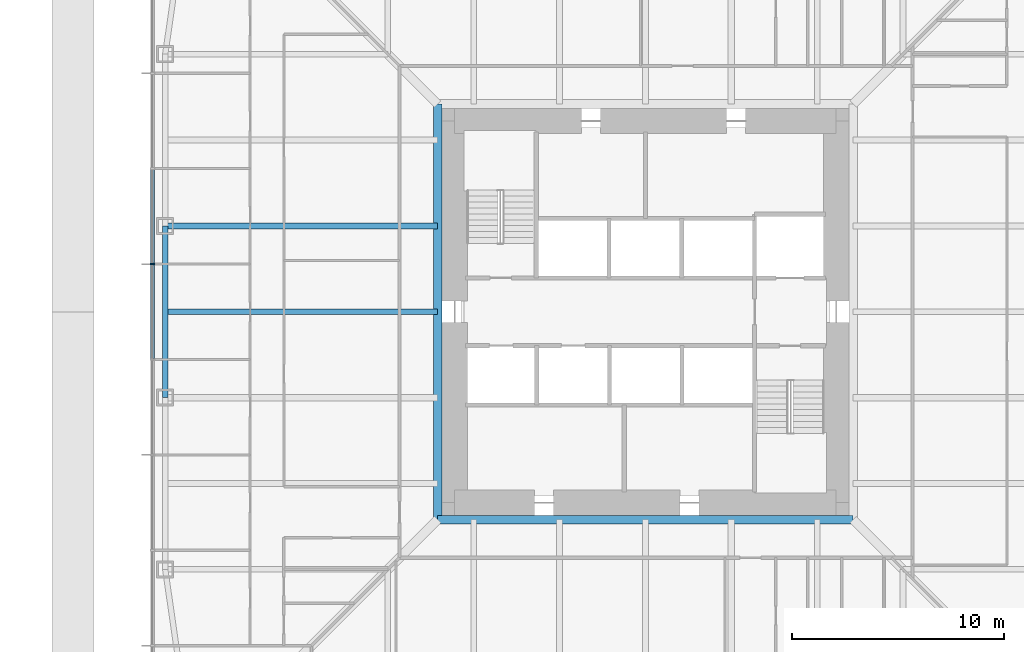
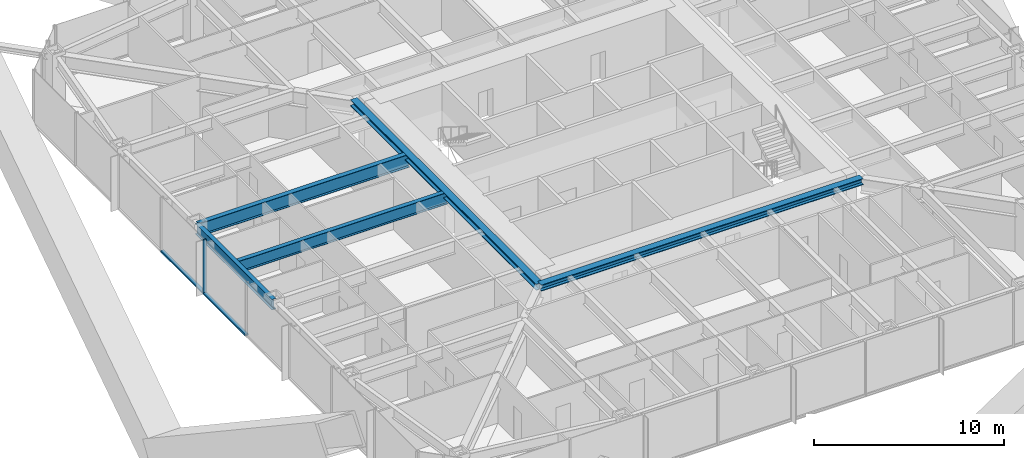
# One storey, part 4 of 27: 5 beams, 3 members, 1 element without a shape of its own.
"""IFC4 building model written with IfcOpenShell, lengths in metres."""

import ifcopenshell
import ifcopenshell.guid

model = None  # the IFC model being written
_history = None  # IfcOwnerHistory: only IFC2X3 demands one
_inside = {}  # id of a spatial element -> (the spatial element, [elements in it])
_under = {}  # id of a project, library or spatial element -> (it, [spatial elements below it])
_declared = {}  # id of a project -> (the project, [libraries it declares])
_typed = {}  # id of a type object -> (the type object, [elements of that type])
_made_of = {}  # id of a material, layer set ... -> (it, [elements and type objects made of it])


def new_model(schema):
    """Start an empty IFC model of exactly this schema.

    Asked for "IFC4X3", IfcOpenShell would pick the latest addendum, in which some entities
    have other attributes; the version numbers below select the first issue.
    IFC2X3 requires an IfcOwnerHistory on every rooted entity: one is made here for all.
    """
    global model, _history
    if schema == "IFC4X3":
        model = ifcopenshell.file(schema_version=(4, 3, 0, 0))
    else:
        model = ifcopenshell.file(schema=schema)
    _inside.clear()
    _under.clear()
    _declared.clear()
    _typed.clear()
    _made_of.clear()
    _history = None
    if model.schema == "IFC2X3":
        org = make("IfcOrganization", Name="unknown")
        user = make(
            "IfcPersonAndOrganization",
            ThePerson=make("IfcPerson", FamilyName="unknown"),
            TheOrganization=org,
        )
        app = make(
            "IfcApplication",
            ApplicationDeveloper=org,
            Version="unknown",
            ApplicationFullName="unknown",
            ApplicationIdentifier="unknown",
        )
        _history = make(
            "IfcOwnerHistory",
            OwningUser=user,
            OwningApplication=app,
            ChangeAction="ADDED",
            CreationDate=0,
        )
    return model


def make(cls, **values):
    """One entity of the class cls with the attributes given. An attribute that is None is left unset."""
    return model.create_entity(
        cls, **{name: value for name, value in values.items() if value is not None}
    )


def rooted(cls, **values):
    """An entity with a GlobalId (a new one), such as an element, a storey or a relation."""
    return make(cls, GlobalId=ifcopenshell.guid.new(), OwnerHistory=_history, **values)


def si_unit(unit_type, name, prefix=None):
    """IfcSIUnit, for example si_unit("LENGTHUNIT", "METRE", prefix="MILLI")."""
    return make("IfcSIUnit", UnitType=unit_type, Prefix=prefix, Name=name)


def assignment(units):
    """IfcUnitAssignment: the units of a project."""
    return None if units is None else make("IfcUnitAssignment", Units=units)


def point(xyz):
    """IfcCartesianPoint."""
    return None if xyz is None else make("IfcCartesianPoint", Coordinates=xyz)


def direction(xyz):
    """IfcDirection."""
    return None if xyz is None else make("IfcDirection", DirectionRatios=xyz)


def frame(location, z_axis=None, x_axis=None):
    """IfcAxis2Placement3D, a coordinate frame: its origin and axes. An axis left out is left unset."""
    return make(
        "IfcAxis2Placement3D",
        Location=point(location),
        Axis=direction(z_axis),
        RefDirection=direction(x_axis),
    )


def frame_2d(location, x_axis=None):
    """IfcAxis2Placement2D, a coordinate frame in the plane: its origin and x axis."""
    return make(
        "IfcAxis2Placement2D", Location=point(location), RefDirection=direction(x_axis)
    )


def origin():
    """The frame at (0, 0, 0) with its axes left unset."""
    return frame((0.0, 0.0, 0.0))


def origin_2d():
    """The frame at (0, 0) in the plane with its x axis left unset."""
    return frame_2d((0.0, 0.0))


def place(relative_to, where):
    """IfcLocalPlacement: puts the frame where relative to a parent placement (None: the world)."""
    return make(
        "IfcLocalPlacement", PlacementRelTo=relative_to, RelativePlacement=where
    )


def context(
    kind, dimensions, precision=None, world=None, true_north=None, identifier=None
):
    """IfcGeometricRepresentationContext, for example the 3D "Model" context."""
    return make(
        "IfcGeometricRepresentationContext",
        ContextIdentifier=identifier,
        ContextType=kind,
        CoordinateSpaceDimension=dimensions,
        Precision=precision,
        WorldCoordinateSystem=world,
        TrueNorth=true_north,
    )


def subcontext(parent, identifier, kind, view, scale=None):
    """IfcGeometricRepresentationSubContext, for example "Body" below "Model"."""
    return make(
        "IfcGeometricRepresentationSubContext",
        ContextIdentifier=identifier,
        ContextType=kind,
        ParentContext=parent,
        TargetScale=scale,
        TargetView=view,
    )


def project(units=None, contexts=None):
    """IfcProject with its units and contexts."""
    return rooted(
        "IfcProject",
        Name="project",
        RepresentationContexts=contexts,
        UnitsInContext=assignment(units),
    )


def spatial(cls, under=None, at=None, **own):
    """A site, building, storey or space (cls), placed at a placement, below another one or the project."""
    s = rooted(cls, ObjectPlacement=at, **own)
    if under is not None:
        _under.setdefault(under.id(), (under, []))[1].append(s)
    return s


def profile(cls, at=None, kind="AREA", **sizes):
    """A parametric profile (cls). Its sizes go by their IFC names, for example OverallWidth=200.0."""
    return make(cls, ProfileType=kind, Position=at, **sizes)


def rectangle(**sizes):
    """IfcRectangleProfileDef."""
    return profile("IfcRectangleProfileDef", **sizes)


def i_section(**sizes):
    """IfcIShapeProfileDef."""
    return profile("IfcIShapeProfileDef", **sizes)


def extrude(swept, where, along, depth):
    """IfcExtrudedAreaSolid: the profile swept, set in the frame where, extruded along a direction by depth."""
    return make(
        "IfcExtrudedAreaSolid",
        SweptArea=swept,
        Position=where,
        ExtrudedDirection=direction(along),
        Depth=depth,
    )


def shape(context_of_items, identifier, shape_type, items):
    """IfcShapeRepresentation: the items that make up one representation, for example the "Body"."""
    return make(
        "IfcShapeRepresentation",
        ContextOfItems=context_of_items,
        RepresentationIdentifier=identifier,
        RepresentationType=shape_type,
        Items=items,
    )


def material(Name=None, Category=None):
    """IfcMaterial."""
    return make("IfcMaterial", Name=Name, Category=Category)


def material_profile(
    of_material, cross_section, Name=None, Category=None, Priority=None
):
    """IfcMaterialProfile: a cross section and its material."""
    return make(
        "IfcMaterialProfile",
        Name=Name,
        Material=of_material,
        Profile=cross_section,
        Priority=Priority,
        Category=Category,
    )


def profile_set(profiles, Name=None, composite=None):
    """IfcMaterialProfileSet."""
    return make(
        "IfcMaterialProfileSet",
        Name=Name,
        MaterialProfiles=profiles,
        CompositeProfile=composite,
    )


def made_of(thing, what):
    """Note that an element or type object is made of a material, layer set ...; save() writes the relation."""
    if what is not None:
        _made_of.setdefault(what.id(), (what, []))[1].append(thing)
    return thing


def type_object(cls, material=None, **own):
    """A type object (cls), such as IfcWallType, which elements share."""
    return made_of(rooted(cls, **own), material)


def element(
    cls,
    number,
    at=None,
    inside=None,
    cuts=None,
    type_object=None,
    material=None,
    context=None,
    identifier="Body",
    shape_type=None,
    held_by="IfcProductDefinitionShape",
    body=None,
    shapes=None,
    **own,
):
    """One element of the class cls, such as IfcWall. Its Tag is "e" and its number.

    at: its placement. inside: the storey or other place that contains it. cuts: it is an
    opening in that element (IfcRelVoidsElement). A single representation is given by context,
    identifier, shape_type and body (its items); several are given by shapes. held_by: the class
    of the entity that holds the representations. save() writes the other relations.
    """
    e = rooted(cls, Tag="e%d" % number, ObjectPlacement=at, **own)
    if body is not None:
        shapes = [shape(context, identifier, shape_type, body)]
    if shapes is not None:
        e.Representation = make(held_by, Representations=shapes)
    if inside is not None:
        _inside.setdefault(inside.id(), (inside, []))[1].append(e)
    if cuts is not None:
        rooted(
            "IfcRelVoidsElement", RelatingBuildingElement=cuts, RelatedOpeningElement=e
        )
    if type_object is not None:
        _typed.setdefault(type_object.id(), (type_object, []))[1].append(e)
    return made_of(e, material)


def aggregate(whole, parts):
    """IfcRelAggregates: a whole, such as a stair, and the parts it consists of."""
    return rooted("IfcRelAggregates", RelatingObject=whole, RelatedObjects=parts)


def save(model, path):
    """Write the relations noted so far, then the file.

    IfcRelAggregates (storeys below a building ...), IfcRelContainedInSpatialStructure (elements
    in a storey), IfcRelDefinesByType, IfcRelAssociatesMaterial and IfcRelDeclares: one each for
    every whole, place, type object, material and project.
    """
    for whole, parts in _under.values():
        aggregate(whole, parts)
    for where, things in _inside.values():
        rooted(
            "IfcRelContainedInSpatialStructure",
            RelatedElements=things,
            RelatingStructure=where,
        )
    for kind, things in _typed.values():
        rooted("IfcRelDefinesByType", RelatedObjects=things, RelatingType=kind)
    for what, things in _made_of.values():
        rooted("IfcRelAssociatesMaterial", RelatedObjects=things, RelatingMaterial=what)
    for by, libraries in _declared.values():
        rooted("IfcRelDeclares", RelatingContext=by, RelatedDefinitions=libraries)
    model.write(path)


model = new_model("IFC4")

# Units and contexts
model_context = context("Model", 3, precision=1e-05, world=origin(), true_north=direction((0.0, 1.0)))
body_context = subcontext(model_context, "Body", "Model", "MODEL_VIEW")
ifc_project = project(units=[si_unit("LENGTHUNIT", "METRE"), si_unit("AREAUNIT", "SQUARE_METRE"), si_unit("VOLUMEUNIT", "CUBIC_METRE"), si_unit("PLANEANGLEUNIT", "RADIAN"), si_unit("MASSUNIT", "GRAM", prefix="KILO")], contexts=[model_context])

# Site, building, storey
site_placement = place(None, origin())
site = spatial("IfcSite", under=ifc_project, at=site_placement, CompositionType="ELEMENT")
building_placement = place(site_placement, origin())
building = spatial("IfcBuilding", under=site, at=building_placement, Name="Iwan Alto Co-Living Towers", CompositionType="ELEMENT")
storey_placement = place(building_placement, frame((0.0, 0.0, 25.5)))
storey = spatial("IfcBuildingStorey", under=building, at=storey_placement, Name="L06", CompositionType="ELEMENT", Elevation=25.5)

# Curtain wall, members
ifc_material_1 = material(Name="Bronze aluminium unitised frame", Category="aluminium")
curtain_wall_type = type_object("IfcCurtainWallType", Name="CURTAIN WALL CW-A", PredefinedType="NOTDEFINED", material=ifc_material_1)
curtain_wall_placement = place(storey_placement, origin())
curtain_wall = element("IfcCurtainWall", 1, at=curtain_wall_placement, inside=storey, type_object=curtain_wall_type, Name="T1 curtain wall W L06", PredefinedType="NOTDEFINED")
ifc_material_2 = material(Name="Aluminium 6063-T6 bronze anodised", Category="aluminium")
ifc_material_profile_1 = material_profile(ifc_material_2, rectangle(XDim=0.199951171875, YDim=0.080078125, at=origin_2d()), Name="AL 80X200")
ifc_profile_set_1 = profile_set([ifc_material_profile_1], Name="Aluminium 6063-T6 bronze anodised")
member_type_1 = type_object("IfcMemberType", Name="CW-A MULLION 80X200", PredefinedType="MULLION", material=ifc_profile_set_1)
member_1_placement = place(storey_placement, frame((-23.25, 2.25, 0.0), z_axis=(0.0, 0.0, 1.0), x_axis=(1.0, 0.0, 0.0)))
member_1 = element("IfcMember", 2, at=member_1_placement, type_object=member_type_1, Name="CW-A mullion 5", PredefinedType="MULLION", context=body_context, shape_type="SweptSolid", body=[
    extrude(rectangle(XDim=0.199951171875, YDim=0.080078125, at=origin_2d()), origin(), (0.0, 0.0, 1.0), 3.5),
])
ifc_material_3 = material(Name="Aluminium 6063-T6 bronze anodised", Category="aluminium")
ifc_material_profile_2 = material_profile(ifc_material_3, rectangle(XDim=0.199951171875, YDim=0.10009765625, at=origin_2d()), Name="AL 200X100")
ifc_profile_set_2 = profile_set([ifc_material_profile_2], Name="Aluminium 6063-T6 bronze anodised")
member_type_2 = type_object("IfcMemberType", Name="CW-A TRANSOM 200X100", PredefinedType="USERDEFINED", material=ifc_profile_set_2)
member_2_placement = place(storey_placement, frame((-23.25, 6.7099609375, 0.050048828125), z_axis=(0.0, -1.0, 0.0), x_axis=(1.0, 0.0, 0.0)))
member_2 = element("IfcMember", 3, at=member_2_placement, type_object=member_type_2, Name="CW-A transom 4.1", ObjectType="TRANSOM", PredefinedType="USERDEFINED", context=body_context, shape_type="SweptSolid", body=[
    extrude(rectangle(XDim=0.199951171875, YDim=0.10009765625, at=origin_2d()), origin(), (0.0, 0.0, 1.0), 4.419921875),
])
member_3_placement = place(storey_placement, frame((-23.25, 2.2099609375, 0.050048828125), z_axis=(0.0, -1.0, 0.0), x_axis=(1.0, 0.0, 0.0)))
member_3 = element("IfcMember", 4, at=member_3_placement, type_object=member_type_2, Name="CW-A transom 5.1", ObjectType="TRANSOM", PredefinedType="USERDEFINED", context=body_context, shape_type="SweptSolid", body=[
    extrude(rectangle(XDim=0.199951171875, YDim=0.10009765625, at=origin_2d()), origin(), (0.0, 0.0, 1.0), 4.419921875),
])
aggregate(curtain_wall, [member_1, member_2, member_3])

# Beams
ifc_material_4 = material(Name="Steel ASTM A992 Gr 50", Category="steel")
ifc_material_profile_3 = material_profile(ifc_material_4, i_section(OverallWidth=0.40380859375, OverallDepth=0.406494140625, WebThickness=0.027099609375, FlangeThickness=0.043701171875, at=origin_2d()), Name="W14X233")
ifc_profile_set_3 = profile_set([ifc_material_profile_3], Name="Steel ASTM A992 Gr 50")
beam_type_1 = type_object("IfcBeamType", Name="T1 CORE LEDGER BEAM W14X233", PredefinedType="BEAM", material=ifc_profile_set_3)
for number, where, z_axis, x_axis, name in (
    (5, (-9.802001953125, -9.802001953125, 3.06689453125), (1.0, 0.0, 0.0), (0.0, 1.0, 0.0), "T1 core ledger beam S L07"),
    (6, (-9.802001953125, 9.802001953125, 3.06689453125), (0.0, -1.0, 0.0), (1.0, 0.0, 0.0), "T1 core ledger beam W L07"),
):
    element("IfcBeam", number, at=place(storey_placement, frame(where, z_axis=z_axis, x_axis=x_axis)), inside=storey, type_object=beam_type_1, Name=name, PredefinedType="BEAM", context=body_context, shape_type="SweptSolid", body=[
        extrude(i_section(OverallWidth=0.40380859375, OverallDepth=0.406494140625, WebThickness=0.027099609375, FlangeThickness=0.043701171875, at=origin_2d()), origin(), (0.0, 0.0, 1.0), 19.60400390625),
    ])
ifc_material_5 = material(Name="Steel ASTM A992 Gr 50", Category="steel")
ifc_material_profile_4 = material_profile(ifc_material_5, i_section(OverallWidth=0.25390625, OverallDepth=0.683349609375, WebThickness=0.012451171875, FlangeThickness=0.018798828125, at=origin_2d()), Name="W27X94")
ifc_profile_set_4 = profile_set([ifc_material_profile_4], Name="Steel ASTM A992 Gr 50")
beam_type_2 = type_object("IfcBeamType", Name="T1 EDGE BEAM W27X94", PredefinedType="BEAM", material=ifc_profile_set_4)
beam_1_placement = place(storey_placement, frame((-22.64990234375, 4.050048828125, 2.928466796875), z_axis=(0.0, -1.0, 0.0), x_axis=(1.0, 0.0, 0.0)))
element("IfcBeam", 7, at=beam_1_placement, inside=storey, type_object=beam_type_2, Name="T1 edge beam W2 L07", PredefinedType="BEAM", context=body_context, shape_type="SweptSolid", body=[
    extrude(i_section(OverallWidth=0.25390625, OverallDepth=0.683349609375, WebThickness=0.012451171875, FlangeThickness=0.018798828125, at=origin_2d()), origin(), (0.0, 0.0, 1.0), 8.10009765625),
])
ifc_material_6 = material(Name="Steel ASTM A992 Gr 50", Category="steel")
ifc_material_profile_5 = material_profile(ifc_material_6, i_section(OverallWidth=0.2919921875, OverallDepth=0.8408203125, WebThickness=0.0146484375, FlangeThickness=0.021728515625, at=origin_2d()), Name="W33X130")
ifc_profile_set_5 = profile_set([ifc_material_profile_5], Name="Steel ASTM A992 Gr 50")
beam_type_3 = type_object("IfcBeamType", Name="T1 RADIAL BEAM W33X130", PredefinedType="BEAM", material=ifc_profile_set_5)
beam_2_placement = place(storey_placement, frame((-22.64990234375, 4.050048828125, 2.849609375), z_axis=(1.0, 0.0, 0.0), x_axis=(0.0, 1.0, 0.0)))
element("IfcBeam", 8, at=beam_2_placement, inside=storey, type_object=beam_type_3, Name="T1 radial beam W2 L07", PredefinedType="BEAM", context=body_context, shape_type="SweptSolid", body=[
    extrude(i_section(OverallWidth=0.2919921875, OverallDepth=0.8408203125, WebThickness=0.0146484375, FlangeThickness=0.021728515625, at=origin_2d()), origin(), (0.0, 0.0, 1.0), 12.847900390625),
])
ifc_material_7 = material(Name="Steel ASTM A992 Gr 50", Category="steel")
ifc_material_profile_6 = material_profile(ifc_material_7, i_section(OverallWidth=0.2666015625, OverallDepth=0.761962890625, WebThickness=0.014404296875, FlangeThickness=0.021484375, at=origin_2d()), Name="W30X116")
ifc_profile_set_6 = profile_set([ifc_material_profile_6], Name="Steel ASTM A992 Gr 50")
beam_type_4 = type_object("IfcBeamType", Name="T1 SECONDARY BEAM W30X116", PredefinedType="JOIST", material=ifc_profile_set_6)
beam_3_placement = place(storey_placement, frame((-22.64990234375, 0.0, 2.888916015625), z_axis=(1.0, 0.0, 0.0), x_axis=(0.0, 1.0, 0.0)))
element("IfcBeam", 9, at=beam_3_placement, inside=storey, type_object=beam_type_4, Name="T1 secondary beam W2 L07", PredefinedType="JOIST", context=body_context, shape_type="SweptSolid", body=[
    extrude(i_section(OverallWidth=0.2666015625, OverallDepth=0.761962890625, WebThickness=0.014404296875, FlangeThickness=0.021484375, at=origin_2d()), origin(), (0.0, 0.0, 1.0), 12.847900390625),
])

save(model, "model.ifc")
